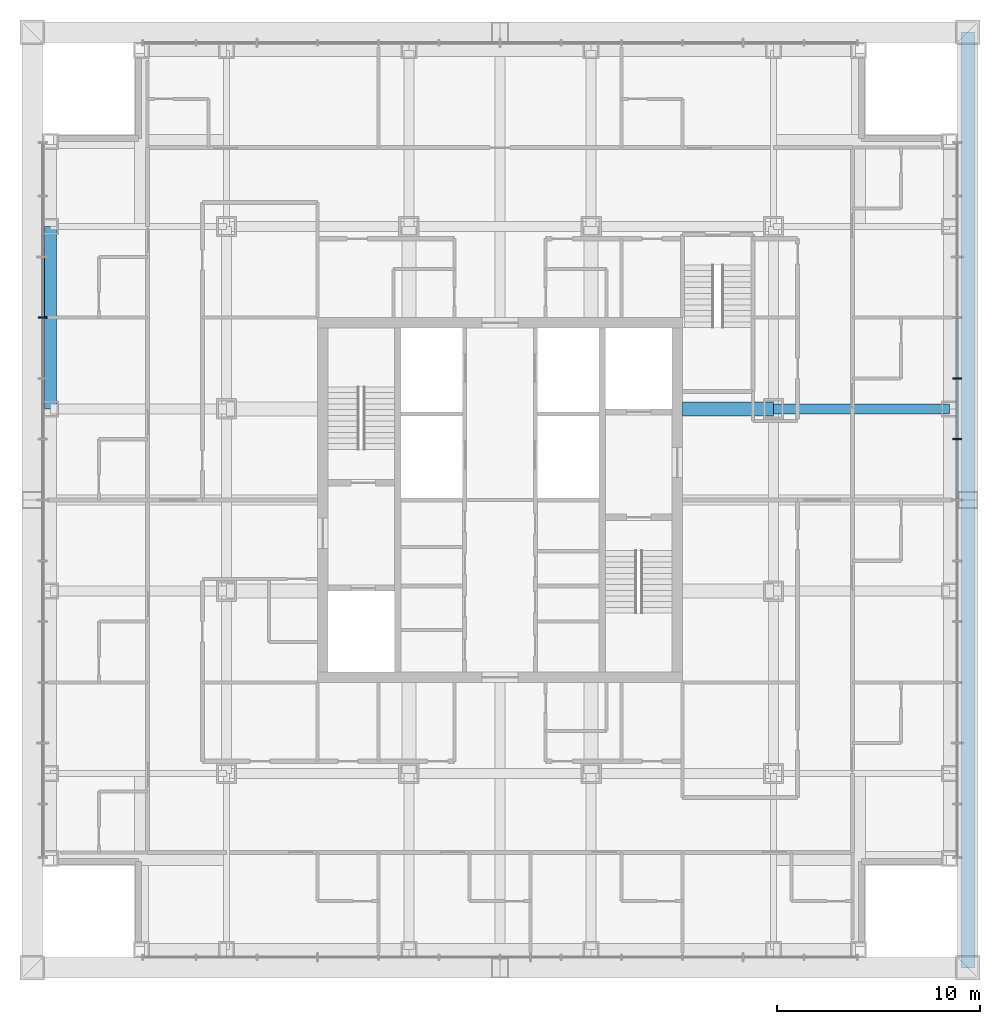
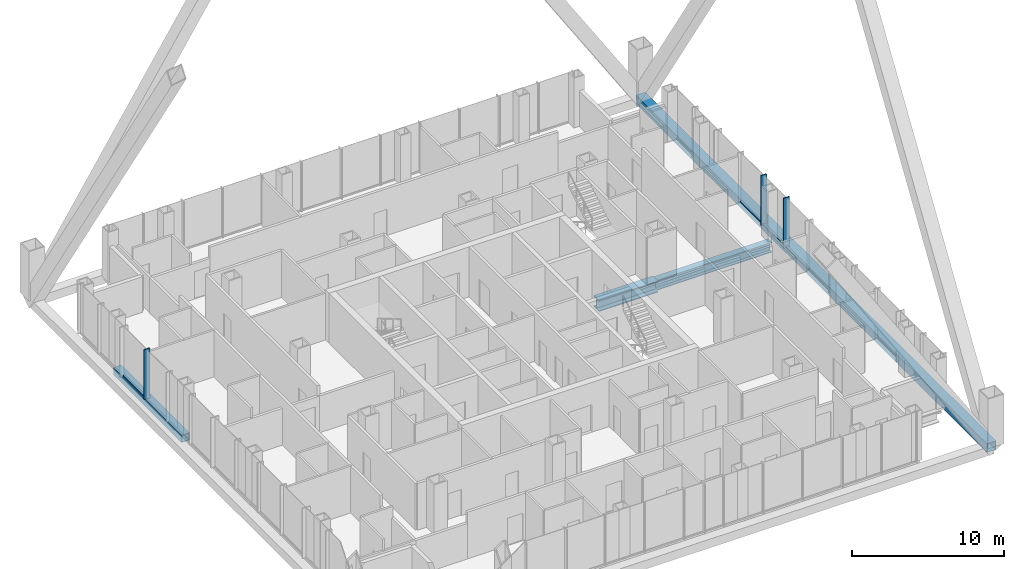
# One storey, part 6 of 16: 8 members, 3 beams, 2 elements without a shape of their own.
"""IFC4 building model written with IfcOpenShell, lengths in metres."""

from ifc_helpers import new_model, si_unit, direction, frame, origin, origin_2d, place, context, subcontext, project, spatial, rectangle, hollow_rectangle, i_section, extrude, material, layer, layer_set, material_profile, profile_set, type_object, element, aggregate, save


model = new_model("IFC4")

# Units and contexts
model_context = context("Model", 3, precision=1e-05, world=origin(), true_north=direction((0.0, 1.0)))
body_context = subcontext(model_context, "Body", "Model", "MODEL_VIEW")
ifc_project = project(units=[si_unit("LENGTHUNIT", "METRE"), si_unit("AREAUNIT", "SQUARE_METRE"), si_unit("VOLUMEUNIT", "CUBIC_METRE"), si_unit("PLANEANGLEUNIT", "RADIAN"), si_unit("MASSUNIT", "GRAM", prefix="KILO")], contexts=[model_context])

# Site, building, storey
site_placement = place(None, origin())
site = spatial("IfcSite", under=ifc_project, at=site_placement, CompositionType="ELEMENT")
building_placement = place(site_placement, origin())
building = spatial("IfcBuilding", under=site, at=building_placement, Name="Malebo Sky Hospital", CompositionType="ELEMENT")
storey_placement = place(building_placement, frame((0.0, 0.0, 209.0)))
storey = spatial("IfcBuildingStorey", under=building, at=storey_placement, Name="L50", CompositionType="ELEMENT", Elevation=209.0)

# Curtain wall, member
ifc_material_1 = material(Name="Anodised aluminium, natural silver", Category="aluminium")
ifc_layer = layer(ifc_material_1, 0.25)
ifc_layer_set = layer_set([ifc_layer], Name="WARD CURTAIN WALL EAST AND WEST")
curtain_wall_type = type_object("IfcCurtainWallType", Name="WARD CURTAIN WALL EAST AND WEST", PredefinedType="NOTDEFINED", material=ifc_layer_set)
curtain_wall_1_placement = place(storey_placement, origin())
curtain_wall_1 = element("IfcCurtainWall", 1, at=curtain_wall_1_placement, inside=storey, type_object=curtain_wall_type, Name="EW curtain wall W", PredefinedType="NOTDEFINED")
ifc_material_profile_1 = material_profile(ifc_material_1, rectangle(XDim=0.14990234375, YDim=0.10009765625, at=origin_2d()), Name="ALUMINIUM TRANSOM 150x100")
ifc_profile_set_1 = profile_set([ifc_material_profile_1], Name="Anodised aluminium, natural silver")
member_type_1 = type_object("IfcMemberType", Name="ALUMINIUM TRANSOM 150x100", PredefinedType="USERDEFINED", material=ifc_profile_set_1)
member_1_placement = place(storey_placement, frame((37.425048828125, 71.03759765625, 0.050048828125), z_axis=(0.0, 1.0, 0.0), x_axis=(-1.0, 0.0, 0.0)))
member_1 = element("IfcMember", 2, at=member_1_placement, type_object=member_type_1, Name="Transom 10", ObjectType="TRANSOM", PredefinedType="USERDEFINED", context=body_context, shape_type="SweptSolid", body=[
    extrude(rectangle(XDim=0.14990234375, YDim=0.10009765625, at=origin_2d()), origin(), (0.0, 0.0, 1.0), 2.9248046875),
])

# Curtain wall, members
curtain_wall_2_placement = place(storey_placement, origin())
curtain_wall_2 = element("IfcCurtainWall", 3, at=curtain_wall_2_placement, inside=storey, type_object=curtain_wall_type, Name="EW curtain wall E", PredefinedType="NOTDEFINED")
member_2_placement = place(storey_placement, frame((82.574951171875, 70.96240234375, 0.050048828125), z_axis=(0.0, -1.0, 0.0), x_axis=(1.0, 0.0, 0.0)))
member_2 = element("IfcMember", 4, at=member_2_placement, type_object=member_type_1, Name="Transom 4", ObjectType="TRANSOM", PredefinedType="USERDEFINED", context=body_context, shape_type="SweptSolid", body=[
    extrude(rectangle(XDim=0.14990234375, YDim=0.10009765625, at=origin_2d()), origin(), (0.0, 0.0, 1.0), 2.9248046875),
])
member_3_placement = place(storey_placement, frame((82.574951171875, 67.96240234375, 0.050048828125), z_axis=(0.0, -1.0, 0.0), x_axis=(1.0, 0.0, 0.0)))
member_3 = element("IfcMember", 5, at=member_3_placement, type_object=member_type_1, Name="Transom 5", ObjectType="TRANSOM", PredefinedType="USERDEFINED", context=body_context, shape_type="SweptSolid", body=[
    extrude(rectangle(XDim=0.14990234375, YDim=0.10009765625, at=origin_2d()), origin(), (0.0, 0.0, 1.0), 2.9248046875),
])
member_4_placement = place(storey_placement, frame((82.574951171875, 64.96240234375, 0.050048828125), z_axis=(0.0, -1.0, 0.0), x_axis=(1.0, 0.0, 0.0)))
member_4 = element("IfcMember", 6, at=member_4_placement, type_object=member_type_1, Name="Transom 6", ObjectType="TRANSOM", PredefinedType="USERDEFINED", context=body_context, shape_type="SweptSolid", body=[
    extrude(rectangle(XDim=0.14990234375, YDim=0.10009765625, at=origin_2d()), origin(), (0.0, 0.0, 1.0), 2.9248046875),
])

# Member
ifc_material_profile_2 = material_profile(ifc_material_1, rectangle(XDim=0.074951171875, YDim=0.449951171875, at=origin_2d()), Name="CW2 ALUMINIUM FIN MULLION 75x450")
ifc_profile_set_2 = profile_set([ifc_material_profile_2], Name="Anodised aluminium, natural silver")
member_type_2 = type_object("IfcMemberType", Name="CW2 ALUMINIUM FIN MULLION 75x450", PredefinedType="MULLION", material=ifc_profile_set_2)
member_5_placement = place(storey_placement, frame((37.425048828125, 71.0, 0.0), z_axis=(0.0, 0.0, 1.0), x_axis=(0.0, 1.0, 0.0)))
member_5 = element("IfcMember", 7, at=member_5_placement, type_object=member_type_2, Name="Fin mullion 10", PredefinedType="MULLION", context=body_context, shape_type="SweptSolid", body=[
    extrude(rectangle(XDim=0.074951171875, YDim=0.449951171875, at=origin_2d()), origin(), (0.0, 0.0, 1.0), 4.0),
])

aggregate(curtain_wall_1, [member_5, member_1])

member_6_placement = place(storey_placement, frame((82.574951171875, 68.0, 0.0), z_axis=(0.0, 0.0, 1.0), x_axis=(0.0, -1.0, 0.0)))
member_6 = element("IfcMember", 8, at=member_6_placement, type_object=member_type_2, Name="Fin mullion 5", PredefinedType="MULLION", context=body_context, shape_type="SweptSolid", body=[
    extrude(rectangle(XDim=0.074951171875, YDim=0.449951171875, at=origin_2d()), origin(), (0.0, 0.0, 1.0), 4.0),
])

member_7_placement = place(storey_placement, frame((82.574951171875, 65.0, 0.0), z_axis=(0.0, 0.0, 1.0), x_axis=(0.0, -1.0, 0.0)))
member_7 = element("IfcMember", 9, at=member_7_placement, type_object=member_type_2, Name="Fin mullion 6", PredefinedType="MULLION", context=body_context, shape_type="SweptSolid", body=[
    extrude(rectangle(XDim=0.074951171875, YDim=0.449951171875, at=origin_2d()), origin(), (0.0, 0.0, 1.0), 4.0),
])

aggregate(curtain_wall_2, [member_6, member_7, member_2, member_3, member_4])

# Beams
ifc_material_2 = material(Name="Steel S460", Category="steel")
ifc_material_profile_3 = material_profile(ifc_material_2, hollow_rectangle(XDim=0.60009765625, YDim=0.60009765625, WallThickness=0.0400390625, at=origin_2d()), Name="BOX 600x600x40")
ifc_profile_set_3 = profile_set([ifc_material_profile_3], Name="Steel S460")
beam_type_1 = type_object("IfcBeamType", Name="EDGE BEAM BOX 600x600x40", PredefinedType="BEAM", material=ifc_profile_set_3)
beam_1_placement = place(storey_placement, frame((37.800048828125, 66.5, -0.550048828125), z_axis=(0.0, 1.0, 0.0), x_axis=(-1.0, 0.0, 0.0)))
element("IfcBeam", 10, at=beam_1_placement, inside=storey, type_object=beam_type_1, Name="Beam 003 L50", PredefinedType="BEAM", context=body_context, shape_type="SweptSolid", body=[
    extrude(hollow_rectangle(XDim=0.60009765625, YDim=0.60009765625, WallThickness=0.0400390625, at=origin_2d()), origin(), (0.0, 0.0, 1.0), 9.0),
])
ifc_material_3 = material(Name="Steel S355", Category="steel")
ifc_material_profile_4 = material_profile(ifc_material_3, i_section(OverallWidth=0.5, OverallDepth=0.800048828125, WebThickness=0.030029296875, FlangeThickness=0.050048828125, at=origin_2d()), Name="PG 800x500x30x50")
ifc_profile_set_4 = profile_set([ifc_material_profile_4], Name="Steel S355")
beam_type_2 = type_object("IfcBeamType", Name="FLOOR BEAM PG 800x500x30x50", PredefinedType="BEAM", material=ifc_profile_set_4)
beam_2_placement = place(storey_placement, frame((73.5, 66.5, -0.64990234375), z_axis=(1.0, 0.0, 0.0), x_axis=(0.0, 1.0, 0.0)))
element("IfcBeam", 11, at=beam_2_placement, inside=storey, type_object=beam_type_2, Name="Beam 055 L50", PredefinedType="BEAM", context=body_context, shape_type="SweptSolid", body=[
    extrude(i_section(OverallWidth=0.5, OverallDepth=0.800048828125, WebThickness=0.030029296875, FlangeThickness=0.050048828125, at=origin_2d()), origin(), (0.0, 0.0, 1.0), 8.699951171875),
])
ifc_material_profile_5 = material_profile(ifc_material_3, i_section(OverallWidth=0.699951171875, OverallDepth=0.89990234375, WebThickness=0.0400390625, FlangeThickness=0.070068359375, at=origin_2d()), Name="PG 900x700x40x70")
ifc_profile_set_5 = profile_set([ifc_material_profile_5], Name="Steel S355")
beam_type_3 = type_object("IfcBeamType", Name="FLOOR BEAM PG 900x700x40x70", PredefinedType="BEAM", material=ifc_profile_set_5)
beam_3_placement = place(storey_placement, frame((69.0, 66.5, -0.699951171875), z_axis=(1.0, 0.0, 0.0), x_axis=(0.0, 1.0, 0.0)))
element("IfcBeam", 12, at=beam_3_placement, inside=storey, type_object=beam_type_3, Name="Beam 054 L50", PredefinedType="BEAM", context=body_context, shape_type="SweptSolid", body=[
    extrude(i_section(OverallWidth=0.699951171875, OverallDepth=0.89990234375, WebThickness=0.0400390625, FlangeThickness=0.070068359375, at=origin_2d()), origin(), (0.0, 0.0, 1.0), 4.5),
])

# Member
ifc_material_profile_6 = material_profile(ifc_material_2, hollow_rectangle(XDim=0.699951171875, YDim=0.699951171875, WallThickness=0.034912109375, at=origin_2d()), Name="BOX 700x700x35")
ifc_profile_set_6 = profile_set([ifc_material_profile_6], Name="Steel S460")
member_type_3 = type_object("IfcMemberType", Name="MEGA TIE BOX 700x700x35", PredefinedType="CHORD", material=ifc_profile_set_6)
member_8_placement = place(storey_placement, frame((83.10009765625, 38.89990234375, -0.39990234375), z_axis=(0.0, 1.0, 0.0), x_axis=(-1.0, 0.0, 0.0)))
element("IfcMember", 13, at=member_8_placement, inside=storey, type_object=member_type_3, Name="Mega tie CE L50", PredefinedType="CHORD", context=body_context, shape_type="SweptSolid", body=[
    extrude(hollow_rectangle(XDim=0.699951171875, YDim=0.699951171875, WallThickness=0.034912109375, at=origin_2d()), origin(), (0.0, 0.0, 1.0), 46.2001953125),
])

save(model, "model.ifc")
